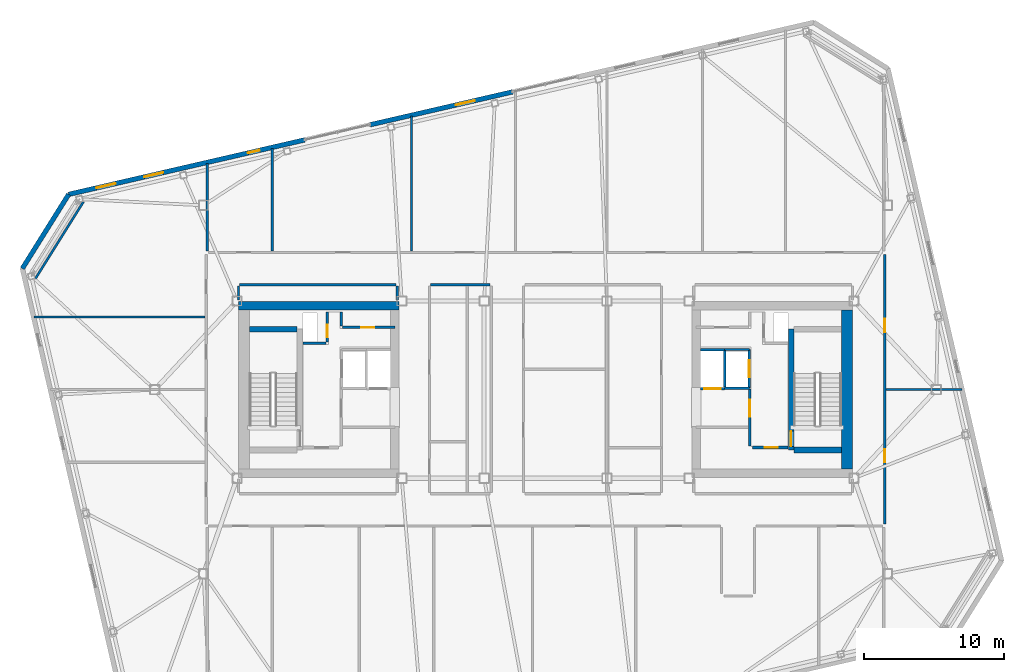
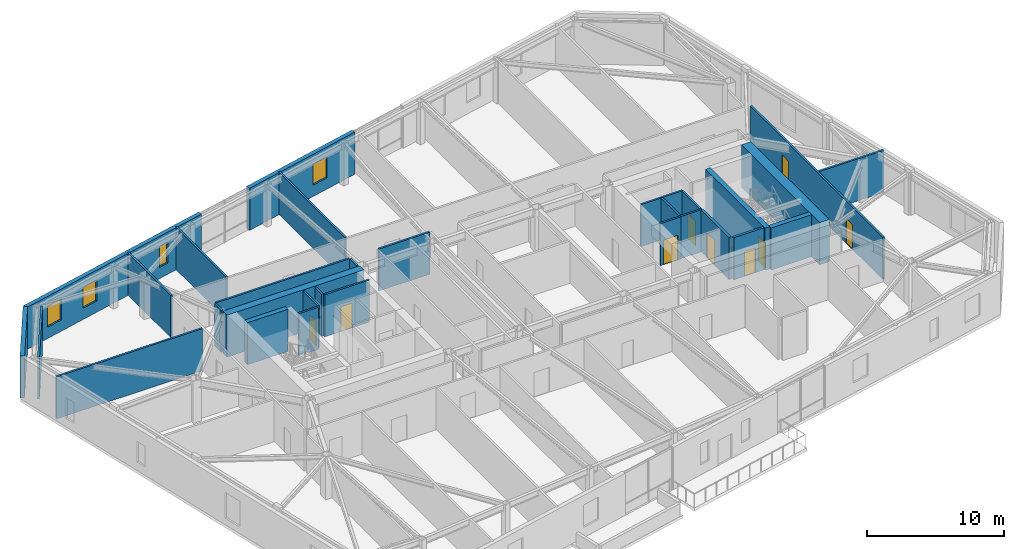
# One storey, part 17 of 23: 31 walls, 9 doors, 4 windows, 13 openings.
"""IFC4 building model written with IfcOpenShell, lengths in metres."""

from ifc_helpers import new_model, si_unit, direction, frame, frame_2d, origin, place, context, subcontext, project, spatial, rectangle, extrude, material, layer, layer_set, type_object, element, fill, save


model = new_model("IFC4")

# Units and contexts
model_context = context("Model", 3, precision=1e-05, world=origin(), true_north=direction((0.0, 1.0)))
body_context = subcontext(model_context, "Body", "Model", "MODEL_VIEW")
ifc_project = project(units=[si_unit("LENGTHUNIT", "METRE"), si_unit("AREAUNIT", "SQUARE_METRE"), si_unit("VOLUMEUNIT", "CUBIC_METRE"), si_unit("PLANEANGLEUNIT", "RADIAN"), si_unit("MASSUNIT", "GRAM", prefix="KILO")], contexts=[model_context])

# Site, building, storey
site_placement = place(None, origin())
site = spatial("IfcSite", under=ifc_project, at=site_placement, CompositionType="ELEMENT")
building_placement = place(site_placement, origin())
building = spatial("IfcBuilding", under=site, at=building_placement, Name="Tavrogorsk Clinical Tower", CompositionType="ELEMENT")
storey_placement = place(building_placement, frame((0.0, 0.0, 289.0)))
storey = spatial("IfcBuildingStorey", under=building, at=storey_placement, Name="L67", CompositionType="ELEMENT", Elevation=289.0)

# Wall, opening, door
ifc_material_1 = material(Name="Concrete B60", Category="concrete")
ifc_layer_1 = layer(ifc_material_1, 0.199951171875)
ifc_layer_set_1 = layer_set([ifc_layer_1], Name="Concrete B60")
wall_type_1 = type_object("IfcWallType", Name="CoreFireWall_200", PredefinedType="SOLIDWALL", material=ifc_layer_set_1)
wall_1_placement = place(storey_placement, frame((14.824951171875, -4.139892578125, 0.0), z_axis=(0.0, 0.0, 1.0), x_axis=(1.0, 0.0, 0.0)))
wall_1 = element("IfcWall", 1, at=wall_1_placement, inside=storey, type_object=wall_type_1, Name="L67 Core East South Core Room Fire Wall", PredefinedType="SOLIDWALL", context=body_context, shape_type="SweptSolid", body=[
    extrude(rectangle(XDim=2.554931640625, YDim=0.199951171875, at=frame_2d((1.27734375, 0.0))), origin(), (0.0, 0.0, 1.0), 3.739990234375),
])
opening_1_placement = place(wall_1_placement, frame((0.8798828125, 0.0, 0.0)))
opening_1 = element("IfcOpeningElement", 2, at=opening_1_placement, cuts=wall_1, Name="Opening ID-02", PredefinedType="OPENING", context=body_context, shape_type="SweptSolid", body=[
    extrude(rectangle(XDim=0.949951171875, YDim=2.199951171875, at=frame_2d((0.47509765625, 1.10009765625))), frame((0.0, 0.10986328125, 0.0), z_axis=(0.0, -1.0, 0.0), x_axis=(1.0, 0.0, 0.0)), (0.0, 0.0, 1.0), 0.219970703125),
])
ifc_material_2 = material(Name="Laminated timber leaf on aluminium frame", Category="wood")
door_type_1 = type_object("IfcDoorType", Name="InteriorDoor_ID02_950", OperationType="NOTDEFINED", PredefinedType="DOOR", material=ifc_material_2)
door_1_placement = place(opening_1_placement, origin())
door_1 = element("IfcDoor", 3, at=door_1_placement, inside=storey, type_object=door_type_1, Name="L67 Core East South Core Room Door", OperationType="SINGLE_SWING_RIGHT", OverallHeight=2.199951171875, OverallWidth=0.949951171875, PredefinedType="DOOR", context=body_context, shape_type="SweptSolid", body=[
    extrude(rectangle(XDim=0.949951171875, YDim=2.199951171875, at=frame_2d((0.47509765625, 1.10009765625))), frame((0.0, 0.02490234375, 0.0), z_axis=(0.0, -1.0, 0.0), x_axis=(1.0, 0.0, 0.0)), (0.0, 0.0, 1.0), 0.050048828125),
])
fill(opening_1, door_1)

wall_2_placement = place(storey_placement, frame((14.639892578125, -4.034912109375, 0.0), z_axis=(0.0, 0.0, 1.0), x_axis=(0.0, 1.0, 0.0)))
wall_2 = element("IfcWall", 4, at=wall_2_placement, inside=storey, type_object=wall_type_1, Name="L67 Core East Firefighting Lobby Fire Wall", PredefinedType="SOLIDWALL", context=body_context, shape_type="SweptSolid", body=[
    extrude(rectangle(XDim=4.074951171875, YDim=0.199951171875, at=frame_2d((2.03759765625, 0.0))), origin(), (0.0, 0.0, 1.0), 3.739990234375),
])
opening_2_placement = place(wall_2_placement, frame((2.090087890625, 0.0, 0.0)))
opening_2 = element("IfcOpeningElement", 5, at=opening_2_placement, cuts=wall_2, Name="Opening FD-01", PredefinedType="OPENING", context=body_context, shape_type="SweptSolid", body=[
    extrude(rectangle(XDim=1.199951171875, YDim=2.199951171875, at=frame_2d((0.60009765625, 1.10009765625))), frame((0.0, 0.10986328125, 0.0), z_axis=(0.0, -1.0, 0.0), x_axis=(1.0, 0.0, 0.0)), (0.0, 0.0, 1.0), 0.219970703125),
])
ifc_material_3 = material(Name="Galvanised steel fire-rated door assembly", Category="steel")
door_type_2 = type_object("IfcDoorType", Name="FireDoor_FD01_1200", OperationType="NOTDEFINED", PredefinedType="DOOR", material=ifc_material_3)
door_2_placement = place(opening_2_placement, origin())
door_2 = element("IfcDoor", 6, at=door_2_placement, inside=storey, type_object=door_type_2, Name="L67 Core East Firefighting Lobby Entry Door", OperationType="SINGLE_SWING_RIGHT", OverallHeight=2.199951171875, OverallWidth=1.199951171875, PredefinedType="DOOR", context=body_context, shape_type="SweptSolid", body=[
    extrude(rectangle(XDim=1.199951171875, YDim=2.199951171875, at=frame_2d((0.60009765625, 1.10009765625))), frame((0.0, 0.02490234375, 0.0), z_axis=(0.0, -1.0, 0.0), x_axis=(1.0, 0.0, 0.0)), (0.0, 0.0, 1.0), 0.050048828125),
])
fill(opening_2, door_2)

ifc_material_4 = material(Name="Lightweight concrete blockwork B15", Category="masonry")
ifc_layer_2 = layer(ifc_material_4, 0.159912109375)
ifc_layer_set_2 = layer_set([ifc_layer_2], Name="Lightweight concrete blockwork B15")
wall_type_2 = type_object("IfcWallType", Name="PartitionWall_160", PredefinedType="PARTITIONING", material=ifc_layer_set_2)
wall_3_placement = place(storey_placement, frame((-14.554931640625, 4.4599609375, 0.0), z_axis=(0.0, 0.0, 1.0), x_axis=(1.0, 0.0, 0.0)))
wall_3 = element("IfcWall", 7, at=wall_3_placement, inside=storey, type_object=wall_type_2, Name="L67 Core West Pneumatic Dispatch South Wall", PredefinedType="PARTITIONING", context=body_context, shape_type="SweptSolid", body=[
    extrude(rectangle(XDim=3.7548828125, YDim=0.159912109375, at=frame_2d((1.87744140625, 0.0))), origin(), (0.0, 0.0, 1.0), 3.739990234375),
])
opening_3_placement = place(wall_3_placement, frame((1.35009765625, 0.0, 0.0)))
opening_3 = element("IfcOpeningElement", 8, at=opening_3_placement, cuts=wall_3, Name="Opening ID-02", PredefinedType="OPENING", context=body_context, shape_type="SweptSolid", body=[
    extrude(rectangle(XDim=0.949951171875, YDim=2.199951171875, at=frame_2d((0.47509765625, 1.10009765625))), frame((0.0, 0.08984375, 0.0), z_axis=(0.0, -1.0, 0.0), x_axis=(1.0, 0.0, 0.0)), (0.0, 0.0, 1.0), 0.179931640625),
])
door_3_placement = place(opening_3_placement, origin())
door_3 = element("IfcDoor", 9, at=door_3_placement, inside=storey, type_object=door_type_1, Name="L67 Core West Pneumatic Dispatch Door", OperationType="SINGLE_SWING_LEFT", OverallHeight=2.199951171875, OverallWidth=0.949951171875, PredefinedType="DOOR", context=body_context, shape_type="SweptSolid", body=[
    extrude(rectangle(XDim=0.949951171875, YDim=2.199951171875, at=frame_2d((0.47509765625, 1.10009765625))), frame((0.0, 0.02490234375, 0.0), z_axis=(0.0, -1.0, 0.0), x_axis=(1.0, 0.0, 0.0)), (0.0, 0.0, 1.0), 0.050048828125),
])
fill(opening_3, door_3)

# Walls
wall_4_placement = place(storey_placement, frame((-14.639892578125, 4.544921875, 0.0), z_axis=(0.0, 0.0, 1.0), x_axis=(0.0, 1.0, 0.0)))
element("IfcWall", 10, at=wall_4_placement, inside=storey, type_object=wall_type_2, Name="L67 Core West Pneumatic Dispatch East Wall", PredefinedType="PARTITIONING", context=body_context, shape_type="SweptSolid", body=[
    extrude(rectangle(XDim=1.01513671875, YDim=0.159912109375, at=frame_2d((0.507568359375, 0.0))), origin(), (0.0, 0.0, 1.0), 3.739990234375),
])
wall_5_placement = place(storey_placement, frame((-33.10009765625, 13.464599609375, 0.0), z_axis=(0.0, 0.0, 1.0), x_axis=(-0.529958457806, -0.848023604035, 0.0)))
element("IfcWall", 11, at=wall_5_placement, inside=storey, type_object=wall_type_2, Name="L67 Corner Exoskeleton Brace Furring Wall 3", PredefinedType="PARTITIONING", context=body_context, shape_type="SweptSolid", body=[
    extrude(rectangle(XDim=6.505126953125, YDim=0.159912109375, at=frame_2d((3.25244140625, 0.0))), origin(), (0.0, 0.0, 1.0), 3.739990234375),
])

# Wall, openings, doors
wall_6_placement = place(storey_placement, frame((24.31005859375, 9.6650390625, 0.0), z_axis=(0.0, 0.0, 1.0), x_axis=(0.0, -1.0, 0.0)))
wall_6 = element("IfcWall", 12, at=wall_6_placement, inside=storey, type_object=wall_type_2, Name="L67 Corridor Partition 03", PredefinedType="PARTITIONING", context=body_context, shape_type="SweptSolid", body=[
    extrude(rectangle(XDim=19.280029296875, YDim=0.159912109375, at=frame_2d((9.64013671875, 0.0))), origin(), (0.0, 0.0, 1.0), 3.739990234375),
])
opening_4_placement = place(wall_6_placement, frame((13.930908203125, 0.0, 0.0)))
opening_4 = element("IfcOpeningElement", 13, at=opening_4_placement, cuts=wall_6, Name="Opening ID-02", PredefinedType="OPENING", context=body_context, shape_type="SweptSolid", body=[
    extrude(rectangle(XDim=0.949951171875, YDim=2.199951171875, at=frame_2d((0.47509765625, 1.10009765625))), frame((0.0, 0.08984375, 0.0), z_axis=(0.0, -1.0, 0.0), x_axis=(1.0, 0.0, 0.0)), (0.0, 0.0, 1.0), 0.179931640625),
])
opening_5_placement = place(wall_6_placement, frame((4.593994140625, 0.0, 0.0)))
opening_5 = element("IfcOpeningElement", 14, at=opening_5_placement, cuts=wall_6, Name="Opening ID-02", PredefinedType="OPENING", context=body_context, shape_type="SweptSolid", body=[
    extrude(rectangle(XDim=0.949951171875, YDim=2.199951171875, at=frame_2d((0.47509765625, 1.10009765625))), frame((0.0, 0.08984375, 0.0), z_axis=(0.0, -1.0, 0.0), x_axis=(1.0, 0.0, 0.0)), (0.0, 0.0, 1.0), 0.179931640625),
])
door_4_placement = place(opening_4_placement, origin())
door_4 = element("IfcDoor", 15, at=door_4_placement, inside=storey, type_object=door_type_1, Name="L67 E Senior Clinician Suite 1 Door", OperationType="SINGLE_SWING_LEFT", OverallHeight=2.199951171875, OverallWidth=0.949951171875, PredefinedType="DOOR", context=body_context, shape_type="SweptSolid", body=[
    extrude(rectangle(XDim=0.949951171875, YDim=2.199951171875, at=frame_2d((0.47509765625, 1.10009765625))), frame((0.0, 0.02490234375, 0.0), z_axis=(0.0, -1.0, 0.0), x_axis=(1.0, 0.0, 0.0)), (0.0, 0.0, 1.0), 0.050048828125),
])
fill(opening_4, door_4)
door_5_placement = place(opening_5_placement, origin())
door_5 = element("IfcDoor", 16, at=door_5_placement, inside=storey, type_object=door_type_1, Name="L67 E Multidisciplinary Seminar Suite 2 Door", OperationType="SINGLE_SWING_RIGHT", OverallHeight=2.199951171875, OverallWidth=0.949951171875, PredefinedType="DOOR", context=body_context, shape_type="SweptSolid", body=[
    extrude(rectangle(XDim=0.949951171875, YDim=2.199951171875, at=frame_2d((0.47509765625, 1.10009765625))), frame((0.0, 0.02490234375, 0.0), z_axis=(0.0, -1.0, 0.0), x_axis=(1.0, 0.0, 0.0)), (0.0, 0.0, 1.0), 0.050048828125),
])
fill(opening_5, door_5)

# Walls
wall_7_placement = place(storey_placement, frame((-3.965087890625, 7.52001953125, 0.0), z_axis=(0.0, 0.0, 1.0), x_axis=(-1.0, 0.0, 0.0)))
element("IfcWall", 17, at=wall_7_placement, inside=storey, type_object=wall_type_2, Name="L67 Corridor Partition 20", PredefinedType="PARTITIONING", context=body_context, shape_type="SweptSolid", body=[
    extrude(rectangle(XDim=4.27001953125, YDim=0.159912109375, at=frame_2d((2.135009765625, 0.0))), origin(), (0.0, 0.0, 1.0), 3.739990234375),
])
wall_8_placement = place(storey_placement, frame((-10.6298828125, 6.419921875, 0.0), z_axis=(0.0, 0.0, 1.0), x_axis=(0.0, 1.0, 0.0)))
element("IfcWall", 18, at=wall_8_placement, inside=storey, type_object=wall_type_2, Name="L67 Corridor Partition 24", PredefinedType="PARTITIONING", context=body_context, shape_type="SweptSolid", body=[
    extrude(rectangle(XDim=1.01513671875, YDim=0.159912109375, at=frame_2d((0.507568359375, 0.0))), origin(), (0.0, 0.0, 1.0), 3.739990234375),
])
wall_9_placement = place(storey_placement, frame((-10.715087890625, 7.52001953125, 0.0), z_axis=(0.0, 0.0, 1.0), x_axis=(-1.0, 0.0, 0.0)))
element("IfcWall", 19, at=wall_9_placement, inside=storey, type_object=wall_type_2, Name="L67 Corridor Partition 25", PredefinedType="PARTITIONING", context=body_context, shape_type="SweptSolid", body=[
    extrude(rectangle(XDim=11.199951171875, YDim=0.159912109375, at=frame_2d((5.60009765625, 0.0))), origin(), (0.0, 0.0, 1.0), 3.739990234375),
])
wall_10_placement = place(storey_placement, frame((-22.0, 7.43505859375, 0.0), z_axis=(0.0, 0.0, 1.0), x_axis=(0.0, -1.0, 0.0)))
element("IfcWall", 20, at=wall_10_placement, inside=storey, type_object=wall_type_2, Name="L67 Corridor Partition 26", PredefinedType="PARTITIONING", context=body_context, shape_type="SweptSolid", body=[
    extrude(rectangle(XDim=1.01513671875, YDim=0.159912109375, at=frame_2d((0.507568359375, 0.0))), origin(), (0.0, 0.0, 1.0), 3.739990234375),
])
wall_11_placement = place(storey_placement, frame((-24.22998046875, 9.9150390625, 0.0), z_axis=(0.0, 0.0, 1.0), x_axis=(0.0, 1.0, 0.0)))
element("IfcWall", 21, at=wall_11_placement, inside=storey, type_object=wall_type_2, Name="L67 NW Wing Closure Partition", PredefinedType="PARTITIONING", context=body_context, shape_type="SweptSolid", body=[
    extrude(rectangle(XDim=6.2958984375, YDim=0.159912109375, at=frame_2d((3.14794921875, 0.0))), origin(), (0.0, 0.0, 1.0), 3.739990234375),
])
wall_12_placement = place(storey_placement, frame((-19.580078125, 9.9150390625, 0.0), z_axis=(0.0, 0.0, 1.0), x_axis=(0.0, 1.0, 0.0)))
element("IfcWall", 22, at=wall_12_placement, inside=storey, type_object=wall_type_2, Name="L67 North Room Partition 1", PredefinedType="PARTITIONING", context=body_context, shape_type="SweptSolid", body=[
    extrude(rectangle(XDim=7.369384765625, YDim=0.159912109375, at=frame_2d((3.6845703125, 0.0))), origin(), (0.0, 0.0, 1.0), 3.739990234375),
])
wall_13_placement = place(storey_placement, frame((-9.60009765625, 9.9150390625, 0.0), z_axis=(0.0, 0.0, 1.0), x_axis=(0.0, 1.0, 0.0)))
element("IfcWall", 23, at=wall_13_placement, inside=storey, type_object=wall_type_2, Name="L67 North Room Partition 2", PredefinedType="PARTITIONING", context=body_context, shape_type="SweptSolid", body=[
    extrude(rectangle(XDim=9.67333984375, YDim=0.159912109375, at=frame_2d((4.836669921875, 0.0))), origin(), (0.0, 0.0, 1.0), 3.739990234375),
])
wall_14_placement = place(storey_placement, frame((-36.662841796875, 5.199951171875, 0.0), z_axis=(0.0, 0.0, 1.0), x_axis=(1.0, 0.0, 0.0)))
element("IfcWall", 24, at=wall_14_placement, inside=storey, type_object=wall_type_2, Name="L67 W Wing Divider 3", PredefinedType="PARTITIONING", context=body_context, shape_type="SweptSolid", body=[
    extrude(rectangle(XDim=12.267822265625, YDim=0.159912109375, at=frame_2d((6.1337890625, 0.0))), origin(), (0.0, 0.0, 1.0), 3.739990234375),
])
wall_15_placement = place(storey_placement, frame((24.39501953125, 0.0, 0.0), z_axis=(0.0, 0.0, 1.0), x_axis=(1.0, 0.0, 0.0)))
element("IfcWall", 25, at=wall_15_placement, inside=storey, type_object=wall_type_2, Name="L67 E Wing Divider 1", PredefinedType="PARTITIONING", context=body_context, shape_type="SweptSolid", body=[
    extrude(rectangle(XDim=5.436279296875, YDim=0.159912109375, at=frame_2d((2.71826171875, 0.0))), origin(), (0.0, 0.0, 1.0), 3.739990234375),
])

# Wall, opening, window
ifc_material_5 = material(Name="Precast concrete B45 with limestone cladding", Category="masonry")
ifc_layer_3 = layer(ifc_material_5, 0.340087890625)
ifc_layer_set_3 = layer_set([ifc_layer_3], Name="Precast concrete B45 with limestone cladding")
wall_type_3 = type_object("IfcWallType", Name="PrecastLimestoneWall_340", PredefinedType="STANDARD", material=ifc_layer_set_3)
wall_16_placement = place(storey_placement, frame((-2.3681640625, 21.330078125, 0.0), z_axis=(0.0, 0.0, 1.0), x_axis=(-0.974367213107, -0.224963405961, 0.0)))
wall_16 = element("IfcWall", 26, at=wall_16_placement, inside=storey, type_object=wall_type_3, Name="L67 N Limestone Facade Wall 2", PredefinedType="STANDARD", context=body_context, shape_type="SweptSolid", body=[
    extrude(rectangle(XDim=10.46826171875, YDim=0.340087890625, at=frame_2d((5.234130859375, 0.0))), origin(), (0.0, 0.0, 1.0), 3.739990234375),
])
opening_6_placement = place(wall_16_placement, frame((2.7783203125, 0.0, 1.0)))
opening_6 = element("IfcOpeningElement", 27, at=opening_6_placement, cuts=wall_16, Name="Opening WN-17", PredefinedType="OPENING", context=body_context, shape_type="SweptSolid", body=[
    extrude(rectangle(XDim=1.39990234375, YDim=1.85009765625, at=frame_2d((0.699951171875, 0.925048828125))), frame((0.0, 0.179931640625, 0.0), z_axis=(0.0, -1.0, 0.0), x_axis=(1.0, 0.0, 0.0)), (0.0, 0.0, 1.0), 0.360107421875),
])
ifc_material_6 = material(Name="Thermally broken aluminium frame and triple IGU", Category="aluminium")
window_type_1 = type_object("IfcWindowType", Name="TelemetryWin_1400x1850", PartitioningType="SINGLE_PANEL", PredefinedType="WINDOW", material=ifc_material_6)
window_1_placement = place(opening_6_placement, origin())
window_1 = element("IfcWindow", 28, at=window_1_placement, inside=storey, type_object=window_type_1, Name="L67 N Chicago Window 06", OverallHeight=1.85009765625, OverallWidth=1.39990234375, PartitioningType="SINGLE_PANEL", PredefinedType="WINDOW", context=body_context, shape_type="SweptSolid", body=[
    extrude(rectangle(XDim=1.39990234375, YDim=1.85009765625, at=frame_2d((0.699951171875, 0.925048828125))), frame((0.0, 0.030029296875, 0.0), z_axis=(0.0, -1.0, 0.0), x_axis=(1.0, 0.0, 0.0)), (0.0, 0.0, 1.0), 0.06005859375),
])
fill(opening_6, window_1)

# Wall, openings, windows
wall_17_placement = place(storey_placement, frame((-17.2451171875, 17.895263671875, 0.0), z_axis=(0.0, 0.0, 1.0), x_axis=(-0.97437318493, -0.224937539085, 0.0)))
wall_17 = element("IfcWall", 29, at=wall_17_placement, inside=storey, type_object=wall_type_3, Name="L67 N Limestone Facade Wall 3", PredefinedType="STANDARD", context=body_context, shape_type="SweptSolid", body=[
    extrude(rectangle(XDim=17.365966796875, YDim=0.340087890625, at=frame_2d((8.68310546875, 0.0))), origin(), (0.0, 0.0, 1.0), 3.739990234375),
])
opening_7_placement = place(wall_17_placement, frame((13.924560546875, 0.0, 1.0)))
opening_7 = element("IfcOpeningElement", 30, at=opening_7_placement, cuts=wall_17, Name="Opening WN-17", PredefinedType="OPENING", context=body_context, shape_type="SweptSolid", body=[
    extrude(rectangle(XDim=1.39990234375, YDim=1.85009765625, at=frame_2d((0.699951171875, 0.925048828125))), frame((0.0, 0.179931640625, 0.0), z_axis=(0.0, -1.0, 0.0), x_axis=(1.0, 0.0, 0.0)), (0.0, 0.0, 1.0), 0.360107421875),
])
opening_8_placement = place(wall_17_placement, frame((10.412841796875, 0.0, 1.0)))
opening_8 = element("IfcOpeningElement", 31, at=opening_8_placement, cuts=wall_17, Name="Opening WN-17", PredefinedType="OPENING", context=body_context, shape_type="SweptSolid", body=[
    extrude(rectangle(XDim=1.39990234375, YDim=1.85009765625, at=frame_2d((0.699951171875, 0.925048828125))), frame((0.0, 0.179931640625, 0.0), z_axis=(0.0, -1.0, 0.0), x_axis=(1.0, 0.0, 0.0)), (0.0, 0.0, 1.0), 0.360107421875),
])
opening_9_placement = place(wall_17_placement, frame((3.32861328125, 0.0, 1.0)))
opening_9 = element("IfcOpeningElement", 32, at=opening_9_placement, cuts=wall_17, Name="Opening WN-06", PredefinedType="OPENING", context=body_context, shape_type="SweptSolid", body=[
    extrude(rectangle(XDim=0.85009765625, YDim=1.85009765625, at=frame_2d((0.425048828125, 0.925048828125))), frame((0.0, 0.179931640625, 0.0), z_axis=(0.0, -1.0, 0.0), x_axis=(1.0, 0.0, 0.0)), (0.0, 0.0, 1.0), 0.360107421875),
])
ifc_material_7 = material(Name="Thermally broken aluminium frame and triple IGU", Category="aluminium")
window_type_2 = type_object("IfcWindowType", Name="MullionSubWin_850x1850", PartitioningType="SINGLE_PANEL", PredefinedType="WINDOW", material=ifc_material_7)
window_2_placement = place(opening_9_placement, origin())
window_2 = element("IfcWindow", 33, at=window_2_placement, inside=storey, type_object=window_type_2, Name="L67 N Mullion Split Window 04B", OverallHeight=1.85009765625, OverallWidth=0.85009765625, PartitioningType="SINGLE_PANEL", PredefinedType="WINDOW", context=body_context, shape_type="SweptSolid", body=[
    extrude(rectangle(XDim=0.85009765625, YDim=1.85009765625, at=frame_2d((0.425048828125, 0.925048828125))), frame((0.0, 0.030029296875, 0.0), z_axis=(0.0, -1.0, 0.0), x_axis=(1.0, 0.0, 0.0)), (0.0, 0.0, 1.0), 0.06005859375),
])
fill(opening_9, window_2)
window_3_placement = place(opening_7_placement, origin())
window_3 = element("IfcWindow", 34, at=window_3_placement, inside=storey, type_object=window_type_1, Name="L67 N Chicago Window 01", OverallHeight=1.85009765625, OverallWidth=1.39990234375, PartitioningType="SINGLE_PANEL", PredefinedType="WINDOW", context=body_context, shape_type="SweptSolid", body=[
    extrude(rectangle(XDim=1.39990234375, YDim=1.85009765625, at=frame_2d((0.699951171875, 0.925048828125))), frame((0.0, 0.030029296875, 0.0), z_axis=(0.0, -1.0, 0.0), x_axis=(1.0, 0.0, 0.0)), (0.0, 0.0, 1.0), 0.06005859375),
])
fill(opening_7, window_3)
window_4_placement = place(opening_8_placement, origin())
window_4 = element("IfcWindow", 35, at=window_4_placement, inside=storey, type_object=window_type_1, Name="L67 N Chicago Window 02", OverallHeight=1.85009765625, OverallWidth=1.39990234375, PartitioningType="SINGLE_PANEL", PredefinedType="WINDOW", context=body_context, shape_type="SweptSolid", body=[
    extrude(rectangle(XDim=1.39990234375, YDim=1.85009765625, at=frame_2d((0.699951171875, 0.925048828125))), frame((0.0, 0.030029296875, 0.0), z_axis=(0.0, -1.0, 0.0), x_axis=(1.0, 0.0, 0.0)), (0.0, 0.0, 1.0), 0.06005859375),
])
fill(opening_8, window_4)

# Wall
wall_18_placement = place(storey_placement, frame((-34.165771484375, 13.989013671875, 0.0), z_axis=(0.0, 0.0, 1.0), x_axis=(-0.529935887993, -0.848037708252, 0.0)))
element("IfcWall", 36, at=wall_18_placement, inside=storey, type_object=wall_type_3, Name="L67 Chamfered Corner Wall 3", PredefinedType="STANDARD", context=body_context, shape_type="SweptSolid", body=[
    extrude(rectangle(XDim=6.26513671875, YDim=0.340087890625, at=frame_2d((3.132568359375, 0.0))), origin(), (0.0, 0.0, 1.0), 3.739990234375),
])

# Wall, opening, door
ifc_material_8 = material(Name="Lightweight concrete blockwork B25", Category="masonry")
ifc_layer_4 = layer(ifc_material_8, 0.159912109375)
ifc_layer_set_4 = layer_set([ifc_layer_4], Name="Lightweight concrete blockwork B25")
wall_type_4 = type_object("IfcWallType", Name="ShaftWall_160", PredefinedType="PARTITIONING", material=ifc_layer_set_4)
wall_19_placement = place(storey_placement, frame((14.60009765625, 0.1201171875, 0.0), z_axis=(0.0, 0.0, 1.0), x_axis=(0.0, 1.0, 0.0)))
wall_19 = element("IfcWall", 37, at=wall_19_placement, inside=storey, type_object=wall_type_4, Name="L67 FFL-E Firefighting Lift Front Wall", PredefinedType="PARTITIONING", context=body_context, shape_type="SweptSolid", body=[
    extrude(rectangle(XDim=2.739990234375, YDim=0.159912109375, at=frame_2d((1.3701171875, 0.0))), origin(), (0.0, 0.0, 1.0), 3.739990234375),
])
opening_10_placement = place(wall_19_placement, frame((0.77001953125, 0.0, 0.0)))
opening_10 = element("IfcOpeningElement", 38, at=opening_10_placement, cuts=wall_19, Name="Opening LD", PredefinedType="OPENING", context=body_context, shape_type="SweptSolid", body=[
    extrude(rectangle(XDim=1.199951171875, YDim=2.199951171875, at=frame_2d((0.60009765625, 1.10009765625))), frame((0.0, 0.08984375, 0.0), z_axis=(0.0, -1.0, 0.0), x_axis=(1.0, 0.0, 0.0)), (0.0, 0.0, 1.0), 0.179931640625),
])
ifc_material_9 = material(Name="Brushed stainless steel AISI 304 sliding doors", Category="steel")
door_type_3 = type_object("IfcDoorType", Name="LiftLandingDoor_LD_1200", OperationType="SLIDING_TO_LEFT", PredefinedType="DOOR", material=ifc_material_9)
door_6_placement = place(opening_10_placement, origin())
door_6 = element("IfcDoor", 39, at=door_6_placement, inside=storey, type_object=door_type_3, Name="L67 FFL-E Sliding Lift Landing Door", OperationType="SLIDING_TO_LEFT", OverallHeight=2.199951171875, OverallWidth=1.199951171875, PredefinedType="DOOR", context=body_context, shape_type="SweptSolid", body=[
    extrude(rectangle(XDim=1.199951171875, YDim=2.199951171875, at=frame_2d((0.60009765625, 1.10009765625))), frame((0.0, 0.02490234375, 0.0), z_axis=(0.0, -1.0, 0.0), x_axis=(1.0, 0.0, 0.0)), (0.0, 0.0, 1.0), 0.050048828125),
])
fill(opening_10, door_6)

# Walls
for number, where, z_axis, x_axis, name in (
    (40, (12.840087890625, 0.10009765625, 0.0), (0.0, 0.0, 1.0), (1.0, 0.0, 0.0), "L67 FFL-E Shaft South Wall"),
    (41, (12.840087890625, 2.8798828125, 0.0), (0.0, 0.0, 1.0), (1.0, 0.0, 0.0), "L67 FFL-E Shaft North Wall"),
):
    element("IfcWall", number, at=place(storey_placement, frame(where, z_axis=z_axis, x_axis=x_axis)), inside=storey, type_object=wall_type_4, Name=name, PredefinedType="PARTITIONING", context=body_context, shape_type="SweptSolid", body=[
        extrude(rectangle(XDim=1.760009765625, YDim=0.159912109375, at=frame_2d((0.8798828125, 0.0))), origin(), (0.0, 0.0, 1.0), 3.739990234375),
    ])
wall_20_placement = place(storey_placement, frame((12.840087890625, 0.179931640625, 0.0), z_axis=(0.0, 0.0, 1.0), x_axis=(0.0, 1.0, 0.0)))
element("IfcWall", 42, at=wall_20_placement, inside=storey, type_object=wall_type_4, Name="L67 FFL-E Shaft Back Wall", PredefinedType="PARTITIONING", context=body_context, shape_type="SweptSolid", body=[
    extrude(rectangle(XDim=2.6201171875, YDim=0.159912109375, at=frame_2d((1.31005859375, 0.0))), origin(), (0.0, 0.0, 1.0), 3.739990234375),
])

# Wall, opening, door
wall_21_placement = place(storey_placement, frame((11.10009765625, 0.06005859375, 0.0), z_axis=(0.0, 0.0, 1.0), x_axis=(1.0, 0.0, 0.0)))
wall_21 = element("IfcWall", 43, at=wall_21_placement, inside=storey, type_object=wall_type_4, Name="L67 LP-H2 High-Zone Lift Portal Wall", PredefinedType="PARTITIONING", context=body_context, shape_type="SweptSolid", body=[
    extrude(rectangle(XDim=1.719970703125, YDim=0.159912109375, at=frame_2d((0.85986328125, 0.0))), origin(), (0.0, 0.0, 1.0), 3.739990234375),
])
opening_11_placement = place(wall_21_placement, frame((0.260009765625, 0.0, 0.0)))
opening_11 = element("IfcOpeningElement", 44, at=opening_11_placement, cuts=wall_21, Name="Opening LD", PredefinedType="OPENING", context=body_context, shape_type="SweptSolid", body=[
    extrude(rectangle(XDim=1.199951171875, YDim=2.199951171875, at=frame_2d((0.60009765625, 1.10009765625))), frame((0.0, 0.08984375, 0.0), z_axis=(0.0, -1.0, 0.0), x_axis=(1.0, 0.0, 0.0)), (0.0, 0.0, 1.0), 0.179931640625),
])
door_7_placement = place(opening_11_placement, origin())
door_7 = element("IfcDoor", 45, at=door_7_placement, inside=storey, type_object=door_type_3, Name="L67 LP-H2 Sliding Lift Landing Door", OperationType="SLIDING_TO_LEFT", OverallHeight=2.199951171875, OverallWidth=1.199951171875, PredefinedType="DOOR", context=body_context, shape_type="SweptSolid", body=[
    extrude(rectangle(XDim=1.199951171875, YDim=2.199951171875, at=frame_2d((0.60009765625, 1.10009765625))), frame((0.0, 0.02490234375, 0.0), z_axis=(0.0, -1.0, 0.0), x_axis=(1.0, 0.0, 0.0)), (0.0, 0.0, 1.0), 0.050048828125),
])
fill(opening_11, door_7)

# Wall
wall_22_placement = place(storey_placement, frame((11.10009765625, 2.860107421875, 0.0), z_axis=(0.0, 0.0, 1.0), x_axis=(1.0, 0.0, 0.0)))
element("IfcWall", 46, at=wall_22_placement, inside=storey, type_object=wall_type_4, Name="L67 LP-H2 High-Zone Lift Rear Wall", PredefinedType="PARTITIONING", context=body_context, shape_type="SweptSolid", body=[
    extrude(rectangle(XDim=1.719970703125, YDim=0.159912109375, at=frame_2d((0.85986328125, 0.0))), origin(), (0.0, 0.0, 1.0), 3.739990234375),
])

# Wall, opening, door
wall_23_placement = place(storey_placement, frame((-15.639892578125, 3.405029296875, 0.0), z_axis=(0.0, 0.0, 1.0), x_axis=(0.0, 1.0, 0.0)))
wall_23 = element("IfcWall", 47, at=wall_23_placement, inside=storey, type_object=wall_type_4, Name="L67 Core West Riser West Wall", PredefinedType="PARTITIONING", context=body_context, shape_type="SweptSolid", body=[
    extrude(rectangle(XDim=2.155029296875, YDim=0.159912109375, at=frame_2d((1.07763671875, 0.0))), origin(), (0.0, 0.0, 1.0), 3.739990234375),
])
opening_12_placement = place(wall_23_placement, frame((0.35009765625, 0.0, 0.0)))
opening_12 = element("IfcOpeningElement", 48, at=opening_12_placement, cuts=wall_23, Name="Opening FD-02", PredefinedType="OPENING", context=body_context, shape_type="SweptSolid", body=[
    extrude(rectangle(XDim=0.89990234375, YDim=2.199951171875, at=frame_2d((0.449951171875, 1.10009765625))), frame((0.0, 0.08984375, 0.0), z_axis=(0.0, -1.0, 0.0), x_axis=(1.0, 0.0, 0.0)), (0.0, 0.0, 1.0), 0.179931640625),
])
ifc_material_10 = material(Name="Galvanised steel fire-rated door assembly", Category="steel")
door_type_4 = type_object("IfcDoorType", Name="FireDoor_FD02_900", OperationType="NOTDEFINED", PredefinedType="DOOR", material=ifc_material_10)
door_8_placement = place(opening_12_placement, origin())
door_8 = element("IfcDoor", 49, at=door_8_placement, inside=storey, type_object=door_type_4, Name="L67 Core West Electrical Riser Access Door", OperationType="SINGLE_SWING_LEFT", OverallHeight=2.199951171875, OverallWidth=0.89990234375, PredefinedType="DOOR", context=body_context, shape_type="SweptSolid", body=[
    extrude(rectangle(XDim=0.89990234375, YDim=2.199951171875, at=frame_2d((0.449951171875, 1.10009765625))), frame((0.0, 0.02490234375, 0.0), z_axis=(0.0, -1.0, 0.0), x_axis=(1.0, 0.0, 0.0)), (0.0, 0.0, 1.0), 0.050048828125),
])
fill(opening_12, door_8)

# Walls
wall_24_placement = place(storey_placement, frame((-17.3798828125, 3.320068359375, 0.0), z_axis=(0.0, 0.0, 1.0), x_axis=(1.0, 0.0, 0.0)))
element("IfcWall", 50, at=wall_24_placement, inside=storey, type_object=wall_type_4, Name="L67 Core West Riser South Wall", PredefinedType="PARTITIONING", context=body_context, shape_type="SweptSolid", body=[
    extrude(rectangle(XDim=1.65478515625, YDim=0.159912109375, at=frame_2d((0.827392578125, 0.0))), origin(), (0.0, 0.0, 1.0), 3.739990234375),
])
ifc_material_11 = material(Name="Concrete B80", Category="concrete")
ifc_layer_5 = layer(ifc_material_11, 0.39990234375)
ifc_layer_set_5 = layer_set([ifc_layer_5], Name="Concrete B80")
wall_type_5 = type_object("IfcWallType", Name="ShearWall_400", PredefinedType="SHEAR", material=ifc_layer_set_5)
wall_25_placement = place(storey_placement, frame((-21.199951171875, 4.324951171875, 0.0), z_axis=(0.0, 0.0, 1.0), x_axis=(1.0, 0.0, 0.0)))
element("IfcWall", 51, at=wall_25_placement, inside=storey, type_object=wall_type_5, Name="L67 Core West Stair Shaft North Shear Wall", PredefinedType="SHEAR", context=body_context, shape_type="SweptSolid", body=[
    extrude(rectangle(XDim=3.39990234375, YDim=0.39990234375, at=frame_2d((1.699951171875, 0.0))), origin(), (0.0, 0.0, 1.0), 3.739990234375),
])

# Wall, opening, door
wall_26_placement = place(storey_placement, frame((17.60009765625, -4.324951171875, 0.0), z_axis=(0.0, 0.0, 1.0), x_axis=(0.0, 1.0, 0.0)))
wall_26 = element("IfcWall", 52, at=wall_26_placement, inside=storey, type_object=wall_type_5, Name="L67 Core East Stair Shaft Inner Shear Wall", PredefinedType="SHEAR", context=body_context, shape_type="SweptSolid", body=[
    extrude(rectangle(XDim=8.64990234375, YDim=0.39990234375, at=frame_2d((4.324951171875, 0.0))), origin(), (0.0, 0.0, 1.0), 3.739990234375),
])
opening_13_placement = place(wall_26_placement, frame((0.25, 0.0, 0.0)))
opening_13 = element("IfcOpeningElement", 53, at=opening_13_placement, cuts=wall_26, Name="Opening SD-01", PredefinedType="OPENING", context=body_context, shape_type="SweptSolid", body=[
    extrude(rectangle(XDim=1.10009765625, YDim=2.199951171875, at=frame_2d((0.550048828125, 1.10009765625))), frame((0.0, 0.2099609375, 0.0), z_axis=(0.0, -1.0, 0.0), x_axis=(1.0, 0.0, 0.0)), (0.0, 0.0, 1.0), 0.419921875),
])
ifc_material_12 = material(Name="Galvanised steel smoke-tight fire door assembly", Category="steel")
door_type_5 = type_object("IfcDoorType", Name="StairFireDoor_SD01_1100", OperationType="NOTDEFINED", PredefinedType="DOOR", material=ifc_material_12)
door_9_placement = place(opening_13_placement, origin())
door_9 = element("IfcDoor", 54, at=door_9_placement, inside=storey, type_object=door_type_5, Name="L67 ST-E Exit Stair Door", OperationType="SINGLE_SWING_LEFT", OverallHeight=2.199951171875, OverallWidth=1.10009765625, PredefinedType="DOOR", context=body_context, shape_type="SweptSolid", body=[
    extrude(rectangle(XDim=1.10009765625, YDim=2.199951171875, at=frame_2d((0.550048828125, 1.10009765625))), frame((0.0, 0.02490234375, 0.0), z_axis=(0.0, -1.0, 0.0), x_axis=(1.0, 0.0, 0.0)), (0.0, 0.0, 1.0), 0.050048828125),
])
fill(opening_13, door_9)

# Walls
wall_27_placement = place(storey_placement, frame((17.800048828125, -4.324951171875, 0.0), z_axis=(0.0, 0.0, 1.0), x_axis=(1.0, 0.0, 0.0)))
element("IfcWall", 55, at=wall_27_placement, inside=storey, type_object=wall_type_5, Name="L67 Core East Stair Shaft South Shear Wall", PredefinedType="SHEAR", context=body_context, shape_type="SweptSolid", body=[
    extrude(rectangle(XDim=3.39990234375, YDim=0.39990234375, at=frame_2d((1.699951171875, 0.0))), origin(), (0.0, 0.0, 1.0), 3.739990234375),
])
ifc_material_13 = material(Name="Concrete B80", Category="concrete")
ifc_layer_6 = layer(ifc_material_13, 0.60009765625)
ifc_layer_set_6 = layer_set([ifc_layer_6], Name="Concrete B80")
wall_type_6 = type_object("IfcWallType", Name="ShearWall_600", PredefinedType="SHEAR", material=ifc_layer_set_6)
wall_28_placement = place(storey_placement, frame((-22.0, 6.0, 0.0), z_axis=(0.0, 0.0, 1.0), x_axis=(1.0, 0.0, 0.0)))
element("IfcWall", 56, at=wall_28_placement, inside=storey, type_object=wall_type_6, Name="L67 Core West North Shear Wall", PredefinedType="SHEAR", context=body_context, shape_type="SweptSolid", body=[
    extrude(rectangle(XDim=11.5, YDim=0.60009765625, at=frame_2d((5.75, 0.0))), origin(), (0.0, 0.0, 1.0), 3.739990234375),
])
ifc_material_14 = material(Name="Concrete B80", Category="concrete")
ifc_layer_7 = layer(ifc_material_14, 0.800048828125)
ifc_layer_set_7 = layer_set([ifc_layer_7], Name="Concrete B80")
wall_type_7 = type_object("IfcWallType", Name="ShearWall_800", PredefinedType="SHEAR", material=ifc_layer_set_7)
wall_29_placement = place(storey_placement, frame((21.60009765625, -5.699951171875, 0.0), z_axis=(0.0, 0.0, 1.0), x_axis=(0.0, 1.0, 0.0)))
element("IfcWall", 57, at=wall_29_placement, inside=storey, type_object=wall_type_7, Name="L67 Core East End Shear Wall", PredefinedType="SHEAR", context=body_context, shape_type="SweptSolid", body=[
    extrude(rectangle(XDim=11.39990234375, YDim=0.800048828125, at=frame_2d((5.699951171875, 0.0))), origin(), (0.0, 0.0, 1.0), 3.739990234375),
])

save(model, "model.ifc")
